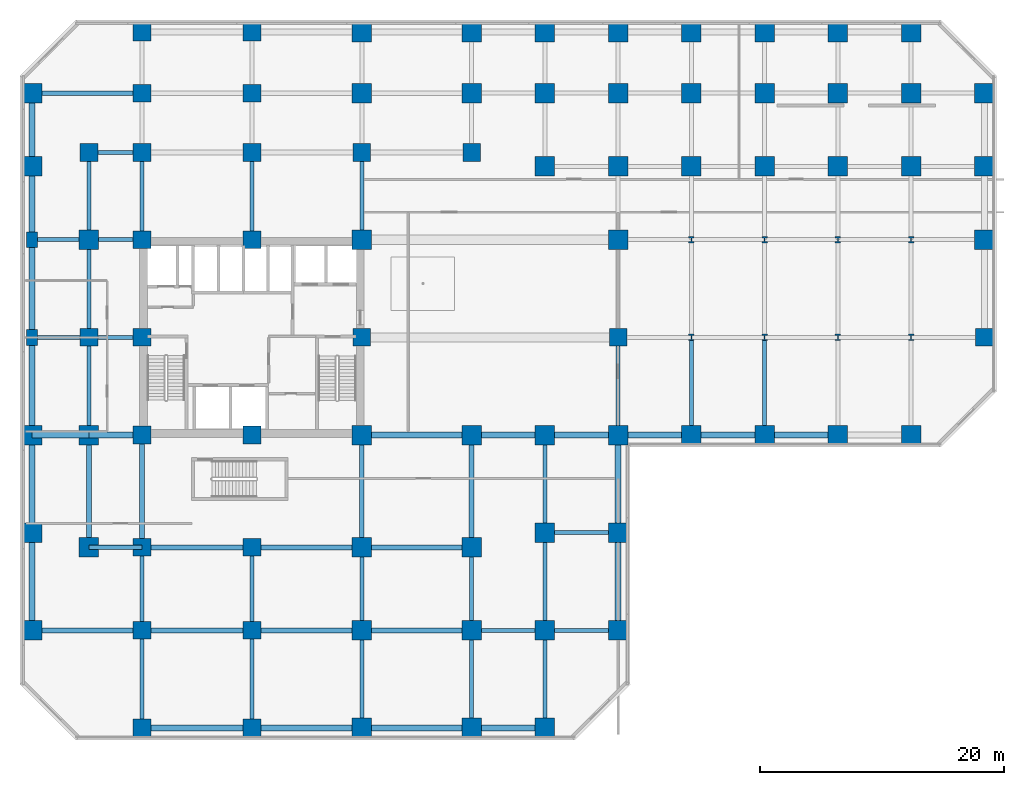
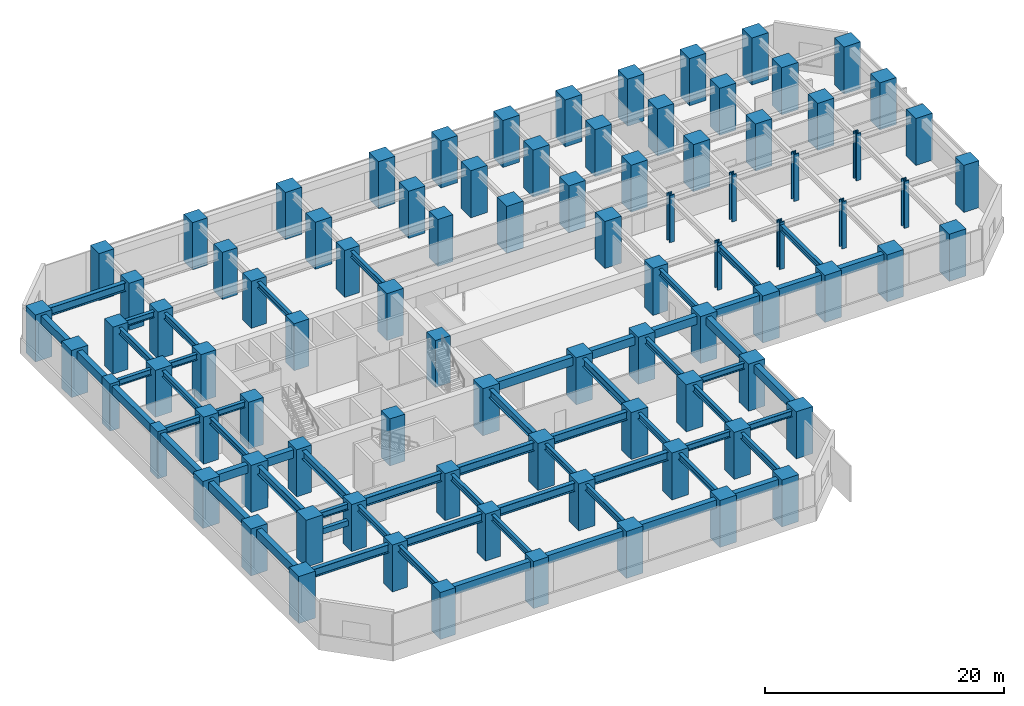
# One storey, part 1 of 12: 88 columns, 62 beams.
"""IFC4 building model written with IfcOpenShell, lengths in metres."""

from ifc_helpers import new_model, si_unit, direction, frame, origin, origin_2d, place, context, subcontext, project, spatial, rectangle, i_section, extrude, source, transform, mapped, material, material_profile, profile_set, type_object, element, save


model = new_model("IFC4")

# Units and contexts
model_context = context("Model", 3, precision=1e-05, world=origin(), true_north=direction((0.0, 1.0)))
body_context = subcontext(model_context, "Body", "Model", "MODEL_VIEW")
ifc_project = project(units=[si_unit("LENGTHUNIT", "METRE"), si_unit("AREAUNIT", "SQUARE_METRE"), si_unit("VOLUMEUNIT", "CUBIC_METRE"), si_unit("PLANEANGLEUNIT", "RADIAN"), si_unit("MASSUNIT", "GRAM", prefix="KILO")], contexts=[model_context])

# Site, building, storey
site_placement = place(None, origin())
site = spatial("IfcSite", under=ifc_project, at=site_placement, CompositionType="ELEMENT")
building_placement = place(site_placement, origin())
building = spatial("IfcBuilding", under=site, at=building_placement, Name="Torre Montelarca", CompositionType="ELEMENT")
storey_placement = place(building_placement, frame((0.0, 0.0, 17.39990234375)))
storey = spatial("IfcBuildingStorey", under=building, at=storey_placement, Name="L04", CompositionType="ELEMENT", Elevation=17.39990234375)

# Columns
ifc_material_1 = material(Name="Concrete C70/85", Category="concrete")
ifc_material_profile_1 = material_profile(ifc_material_1, rectangle(XDim=1.60009765625, YDim=1.60009765625, at=origin_2d()), Name="RC1600X1600", Category="concrete")
ifc_profile_set_1 = profile_set([ifc_material_profile_1], Name="Concrete C70/85")
column_type_1 = type_object("IfcColumnType", Name="COL-RC1600-EXT", PredefinedType="COLUMN", material=ifc_profile_set_1)
shared_shape_1 = source(origin(), body_context, "Body", "SweptSolid", [
    extrude(rectangle(XDim=1.60009765625, YDim=1.60009765625, at=origin_2d()), origin(), (0.0, 0.0, 1.0), 4.798583984375),
])
for number, where, z_axis, x_axis, name in (
    (1, (0.0, 8.0, 0.000732421875), (0.0, 0.0, 1.0), (1.0, 0.0, 0.0), "L04 Perimeter Mega Column 1/B"),
    (2, (0.0, 16.0, 0.000732421875), (0.0, 0.0, 1.0), (1.0, 0.0, 0.0), "L04 Perimeter Mega Column 1/C"),
    (3, (0.0, 24.0, 0.000732421875), (0.0, 0.0, 1.0), (1.0, 0.0, 0.0), "L04 Perimeter Mega Column 1/D"),
    (4, (0.0, 46.0, 0.000732421875), (0.0, 0.0, 1.0), (1.0, 0.0, 0.0), "L04 Perimeter Mega Column 1/G"),
    (5, (0.0, 52.0, 0.000732421875), (0.0, 0.0, 1.0), (1.0, 0.0, 0.0), "L04 Perimeter Mega Column 1/H"),
    (6, (27.0, 0.0, 0.000732421875), (0.0, 0.0, 1.0), (1.0, 0.0, 0.0), "L04 Perimeter Mega Column 4/A"),
    (7, (27.0, 24.0, 0.000732421875), (0.0, 0.0, 1.0), (1.0, 0.0, 0.0), "L04 Perimeter Mega Column 4/D"),
    (8, (27.0, 57.0, 0.000732421875), (0.0, 0.0, 1.0), (1.0, 0.0, 0.0), "L04 Perimeter Mega Column 4/J"),
    (9, (36.0, 0.0, 0.000732421875), (0.0, 0.0, 1.0), (1.0, 0.0, 0.0), "L04 Perimeter Mega Column 5/A"),
    (10, (36.0, 24.0, 0.000732421875), (0.0, 0.0, 1.0), (1.0, 0.0, 0.0), "L04 Perimeter Mega Column 5/D"),
    (11, (36.0, 57.0, 0.000732421875), (0.0, 0.0, 1.0), (1.0, 0.0, 0.0), "L04 Perimeter Mega Column 5/J"),
    (12, (42.0, 0.0, 0.000732421875), (0.0, 0.0, 1.0), (1.0, 0.0, 0.0), "L04 Perimeter Mega Column 6/A"),
    (13, (42.0, 24.0, 0.000732421875), (0.0, 0.0, 1.0), (1.0, 0.0, 0.0), "L04 Perimeter Mega Column 6/D"),
    (14, (42.0, 57.0, 0.000732421875), (0.0, 0.0, 1.0), (1.0, 0.0, 0.0), "L04 Perimeter Mega Column 6/J"),
    (15, (48.0, 8.0, 0.000732421875), (0.0, 0.0, 1.0), (1.0, 0.0, 0.0), "L04 Perimeter Mega Column 7/B"),
    (16, (48.0, 16.0, 0.000732421875), (0.0, 0.0, 1.0), (1.0, 0.0, 0.0), "L04 Perimeter Mega Column 7/C"),
    (17, (48.0, 24.0, 0.000732421875), (0.0, 0.0, 1.0), (1.0, 0.0, 0.0), "L04 Perimeter Mega Column 7/D"),
    (18, (48.0, 57.0, 0.000732421875), (0.0, 0.0, 1.0), (1.0, 0.0, 0.0), "L04 Perimeter Mega Column 7/J"),
    (19, (54.0, 24.0, 0.000732421875), (0.0, 0.0, 1.0), (1.0, 0.0, 0.0), "L04 Perimeter Mega Column 8/D"),
    (20, (54.0, 57.0, 0.000732421875), (0.0, 0.0, 1.0), (1.0, 0.0, 0.0), "L04 Perimeter Mega Column 8/J"),
    (21, (60.0, 24.0, 0.000732421875), (0.0, 0.0, 1.0), (1.0, 0.0, 0.0), "L04 Perimeter Mega Column 9/D"),
    (22, (60.0, 57.0, 0.000732421875), (0.0, 0.0, 1.0), (1.0, 0.0, 0.0), "L04 Perimeter Mega Column 9/J"),
    (23, (66.0, 24.0, 0.000732421875), (0.0, 0.0, 1.0), (1.0, 0.0, 0.0), "L04 Perimeter Mega Column 10/D"),
    (24, (66.0, 57.0, 0.000732421875), (0.0, 0.0, 1.0), (1.0, 0.0, 0.0), "L04 Perimeter Mega Column 10/J"),
    (25, (72.0, 24.0, 0.000732421875), (0.0, 0.0, 1.0), (1.0, 0.0, 0.0), "L04 Perimeter Mega Column 11/D"),
    (26, (72.0, 57.0, 0.000732421875), (0.0, 0.0, 1.0), (1.0, 0.0, 0.0), "L04 Perimeter Mega Column 11/J"),
    (27, (78.0, 40.0, 0.000732421875), (0.0, 0.0, 1.0), (1.0, 0.0, 0.0), "L04 Perimeter Mega Column 12/F"),
    (28, (78.0, 46.0, 0.000732421875), (0.0, 0.0, 1.0), (1.0, 0.0, 0.0), "L04 Perimeter Mega Column 12/G"),
    (29, (78.0, 52.0, 0.000732421875), (0.0, 0.0, 1.0), (1.0, 0.0, 0.0), "L04 Perimeter Mega Column 12/H"),
    (30, (4.64990234375, 24.0, 0.000732421875), (0.0, 0.0, 1.0), (1.0, 0.0, 0.0), "L04 Perimeter Mega Column 1W/D"),
):
    element("IfcColumn", number, at=place(storey_placement, frame(where, z_axis=z_axis, x_axis=x_axis)), inside=storey, type_object=column_type_1, Name=name, PredefinedType="COLUMN", context=body_context, shape_type="MappedRepresentation", body=[
        mapped(shared_shape_1, transform((0.0, 0.0, 0.0), scale=1.0)),
    ])
ifc_material_2 = material(Name="Concrete C55/67", Category="concrete")
ifc_material_profile_2 = material_profile(ifc_material_2, rectangle(XDim=0.89990234375, YDim=1.300048828125, at=origin_2d()), Name="RC1300X900", Category="concrete")
ifc_profile_set_2 = profile_set([ifc_material_profile_2], Name="Concrete C55/67")
column_type_2 = type_object("IfcColumnType", Name="COL-PIL1300-EXT", PredefinedType="PILASTER", material=ifc_profile_set_2)
shared_shape_2 = source(origin(), body_context, "Body", "SweptSolid", [
    extrude(rectangle(XDim=0.89990234375, YDim=1.300048828125, at=origin_2d()), origin(), (0.0, 0.0, 1.0), 4.798583984375),
])
for number, where, z_axis, x_axis, name in (
    (31, (0.0, 32.0, 0.000732421875), (0.0, 0.0, 1.0), (1.0, 0.0, 0.0), "L04 Column 1/E"),
    (32, (0.0, 40.0, 0.000732421875), (0.0, 0.0, 1.0), (1.0, 0.0, 0.0), "L04 Column 1/F"),
):
    element("IfcColumn", number, at=place(storey_placement, frame(where, z_axis=z_axis, x_axis=x_axis)), inside=storey, type_object=column_type_2, Name=name, PredefinedType="PILASTER", context=body_context, shape_type="MappedRepresentation", body=[
        mapped(shared_shape_2, transform((0.0, 0.0, 0.0), scale=1.0)),
    ])
ifc_material_profile_3 = material_profile(ifc_material_1, rectangle(XDim=1.449951171875, YDim=1.449951171875, at=origin_2d()), Name="RC1450X1450", Category="concrete")
ifc_profile_set_3 = profile_set([ifc_material_profile_3], Name="Concrete C70/85")
column_type_3 = type_object("IfcColumnType", Name="COL-RC1450-EXT", PredefinedType="COLUMN", material=ifc_profile_set_3)
shared_shape_3 = source(origin(), body_context, "Body", "SweptSolid", [
    extrude(rectangle(XDim=1.449951171875, YDim=1.449951171875, at=origin_2d()), origin(), (0.0, 0.0, 1.0), 4.798583984375),
])
for number, where, z_axis, x_axis, name in (
    (33, (9.0, 0.0, 0.000732421875), (0.0, 0.0, 1.0), (1.0, 0.0, 0.0), "L04 Perimeter Mega Column 2/A"),
    (34, (9.0, 24.0, 0.000732421875), (0.0, 0.0, 1.0), (1.0, 0.0, 0.0), "L04 Perimeter Mega Column 2/D"),
    (35, (9.0, 57.0, 0.000732421875), (0.0, 0.0, 1.0), (1.0, 0.0, 0.0), "L04 Perimeter Mega Column 2/J"),
    (36, (18.0, 0.0, 0.000732421875), (0.0, 0.0, 1.0), (1.0, 0.0, 0.0), "L04 Perimeter Mega Column 3/A"),
    (37, (18.0, 24.0, 0.000732421875), (0.0, 0.0, 1.0), (1.0, 0.0, 0.0), "L04 Perimeter Mega Column 3/D"),
    (38, (18.0, 57.0, 0.000732421875), (0.0, 0.0, 1.0), (1.0, 0.0, 0.0), "L04 Perimeter Mega Column 3/J"),
    (39, (78.0, 32.0, 0.000732421875), (0.0, 0.0, 1.0), (1.0, 0.0, 0.0), "L04 Perimeter Mega Column 12/E"),
):
    element("IfcColumn", number, at=place(storey_placement, frame(where, z_axis=z_axis, x_axis=x_axis)), inside=storey, type_object=column_type_3, Name=name, PredefinedType="COLUMN", context=body_context, shape_type="MappedRepresentation", body=[
        mapped(shared_shape_3, transform((0.0, 0.0, 0.0), scale=1.0)),
    ])
ifc_material_profile_4 = material_profile(ifc_material_1, rectangle(XDim=1.449951171875, YDim=1.449951171875, at=origin_2d()), Name="RC1450X1450", Category="concrete")
ifc_profile_set_4 = profile_set([ifc_material_profile_4], Name="Concrete C70/85")
column_type_4 = type_object("IfcColumnType", Name="COL-RC1450", PredefinedType="COLUMN", material=ifc_profile_set_4)
shared_shape_4 = source(origin(), body_context, "Body", "SweptSolid", [
    extrude(rectangle(XDim=1.449951171875, YDim=1.449951171875, at=origin_2d()), origin(), (0.0, 0.0, 1.0), 4.798583984375),
])
for number, where, z_axis, x_axis, name in (
    (40, (9.0, 8.0, 0.000732421875), (0.0, 0.0, 1.0), (1.0, 0.0, 0.0), "L04 Column 2/B"),
    (41, (9.0, 32.0, 0.000732421875), (0.0, 0.0, 1.0), (1.0, 0.0, 0.0), "L04 Column 2/E"),
    (42, (9.0, 40.0, 0.000732421875), (0.0, 0.0, 1.0), (1.0, 0.0, 0.0), "L04 Column 2/F"),
    (43, (9.0, 52.0, 0.000732421875), (0.0, 0.0, 1.0), (1.0, 0.0, 0.0), "L04 Column 2/H"),
    (44, (9.0, 14.800048828125, 0.000732421875), (0.0, 0.0, 1.0), (1.0, 0.0, 0.0), "L04 Column 2/CS"),
    (45, (9.0, 47.14990234375, 0.000732421875), (0.0, 0.0, 1.0), (1.0, 0.0, 0.0), "L04 Column 2/GN"),
    (46, (18.0, 8.0, 0.000732421875), (0.0, 0.0, 1.0), (1.0, 0.0, 0.0), "L04 Column 3/B"),
    (47, (18.0, 40.0, 0.000732421875), (0.0, 0.0, 1.0), (1.0, 0.0, 0.0), "L04 Column 3/F"),
    (48, (18.0, 52.0, 0.000732421875), (0.0, 0.0, 1.0), (1.0, 0.0, 0.0), "L04 Column 3/H"),
    (49, (18.0, 14.800048828125, 0.000732421875), (0.0, 0.0, 1.0), (1.0, 0.0, 0.0), "L04 Column 3/CS"),
    (50, (18.0, 47.14990234375, 0.000732421875), (0.0, 0.0, 1.0), (1.0, 0.0, 0.0), "L04 Column 3/GN"),
    (51, (27.0, 32.0, 0.000732421875), (0.0, 0.0, 1.0), (1.0, 0.0, 0.0), "L04 Column 4/E"),
    (52, (27.0, 47.14990234375, 0.000732421875), (0.0, 0.0, 1.0), (1.0, 0.0, 0.0), "L04 Column 4/GN"),
    (53, (36.0, 47.14990234375, 0.000732421875), (0.0, 0.0, 1.0), (1.0, 0.0, 0.0), "L04 Column 5/GN"),
    (54, (48.0, 32.0, 0.000732421875), (0.0, 0.0, 1.0), (1.0, 0.0, 0.0), "L04 Column 7/E"),
    (55, (4.64990234375, 32.0, 0.000732421875), (0.0, 0.0, 1.0), (1.0, 0.0, 0.0), "L04 Column 1W/E"),
    (56, (4.64990234375, 47.14990234375, 0.000732421875), (0.0, 0.0, 1.0), (1.0, 0.0, 0.0), "L04 Column 1W/GN"),
):
    element("IfcColumn", number, at=place(storey_placement, frame(where, z_axis=z_axis, x_axis=x_axis)), inside=storey, type_object=column_type_4, Name=name, PredefinedType="COLUMN", context=body_context, shape_type="MappedRepresentation", body=[
        mapped(shared_shape_4, transform((0.0, 0.0, 0.0), scale=1.0)),
    ])
ifc_material_profile_5 = material_profile(ifc_material_1, rectangle(XDim=1.60009765625, YDim=1.60009765625, at=origin_2d()), Name="RC1600X1600", Category="concrete")
ifc_profile_set_5 = profile_set([ifc_material_profile_5], Name="Concrete C70/85")
column_type_5 = type_object("IfcColumnType", Name="COL-RC1600", PredefinedType="COLUMN", material=ifc_profile_set_5)
shared_shape_5 = source(origin(), body_context, "Body", "SweptSolid", [
    extrude(rectangle(XDim=1.60009765625, YDim=1.60009765625, at=origin_2d()), origin(), (0.0, 0.0, 1.0), 4.798583984375),
])
for number, where, z_axis, x_axis, name in (
    (57, (27.0, 8.0, 0.000732421875), (0.0, 0.0, 1.0), (1.0, 0.0, 0.0), "L04 Column 4/B"),
    (58, (27.0, 40.0, 0.000732421875), (0.0, 0.0, 1.0), (1.0, 0.0, 0.0), "L04 Column 4/F"),
    (59, (27.0, 52.0, 0.000732421875), (0.0, 0.0, 1.0), (1.0, 0.0, 0.0), "L04 Column 4/H"),
    (60, (27.0, 14.800048828125, 0.000732421875), (0.0, 0.0, 1.0), (1.0, 0.0, 0.0), "L04 Column 4/CS"),
    (61, (36.0, 8.0, 0.000732421875), (0.0, 0.0, 1.0), (1.0, 0.0, 0.0), "L04 Column 5/B"),
    (62, (36.0, 52.0, 0.000732421875), (0.0, 0.0, 1.0), (1.0, 0.0, 0.0), "L04 Column 5/H"),
    (63, (36.0, 14.800048828125, 0.000732421875), (0.0, 0.0, 1.0), (1.0, 0.0, 0.0), "L04 Column 5/CS"),
    (64, (42.0, 8.0, 0.000732421875), (0.0, 0.0, 1.0), (1.0, 0.0, 0.0), "L04 Column 6/B"),
    (65, (42.0, 16.0, 0.000732421875), (0.0, 0.0, 1.0), (1.0, 0.0, 0.0), "L04 Column 6/C"),
    (66, (42.0, 46.0, 0.000732421875), (0.0, 0.0, 1.0), (1.0, 0.0, 0.0), "L04 Column 6/G"),
    (67, (42.0, 52.0, 0.000732421875), (0.0, 0.0, 1.0), (1.0, 0.0, 0.0), "L04 Column 6/H"),
    (68, (48.0, 40.0, 0.000732421875), (0.0, 0.0, 1.0), (1.0, 0.0, 0.0), "L04 Column 7/F"),
    (69, (48.0, 46.0, 0.000732421875), (0.0, 0.0, 1.0), (1.0, 0.0, 0.0), "L04 Column 7/G"),
    (70, (48.0, 52.0, 0.000732421875), (0.0, 0.0, 1.0), (1.0, 0.0, 0.0), "L04 Column 7/H"),
    (71, (54.0, 46.0, 0.000732421875), (0.0, 0.0, 1.0), (1.0, 0.0, 0.0), "L04 Column 8/G"),
    (72, (54.0, 52.0, 0.000732421875), (0.0, 0.0, 1.0), (1.0, 0.0, 0.0), "L04 Column 8/H"),
    (73, (60.0, 46.0, 0.000732421875), (0.0, 0.0, 1.0), (1.0, 0.0, 0.0), "L04 Column 9/G"),
    (74, (60.0, 52.0, 0.000732421875), (0.0, 0.0, 1.0), (1.0, 0.0, 0.0), "L04 Column 9/H"),
    (75, (66.0, 46.0, 0.000732421875), (0.0, 0.0, 1.0), (1.0, 0.0, 0.0), "L04 Column 10/G"),
    (76, (66.0, 52.0, 0.000732421875), (0.0, 0.0, 1.0), (1.0, 0.0, 0.0), "L04 Column 10/H"),
    (77, (72.0, 46.0, 0.000732421875), (0.0, 0.0, 1.0), (1.0, 0.0, 0.0), "L04 Column 11/G"),
    (78, (72.0, 52.0, 0.000732421875), (0.0, 0.0, 1.0), (1.0, 0.0, 0.0), "L04 Column 11/H"),
    (79, (4.64990234375, 40.0, 0.000732421875), (0.0, 0.0, 1.0), (1.0, 0.0, 0.0), "L04 Column 1W/F"),
    (80, (4.64990234375, 14.800048828125, 0.000732421875), (0.0, 0.0, 1.0), (1.0, 0.0, 0.0), "L04 Column 1W/CS"),
):
    element("IfcColumn", number, at=place(storey_placement, frame(where, z_axis=z_axis, x_axis=x_axis)), inside=storey, type_object=column_type_5, Name=name, PredefinedType="COLUMN", context=body_context, shape_type="MappedRepresentation", body=[
        mapped(shared_shape_5, transform((0.0, 0.0, 0.0), scale=1.0)),
    ])
ifc_material_3 = material(Name="Steel ASTM A992 Grade 50", Category="steel")
ifc_material_profile_6 = material_profile(ifc_material_3, i_section(OverallWidth=0.44189453125, OverallDepth=0.531005859375, WebThickness=0.06591796875, FlangeThickness=0.10595703125, FilletRadius=0.014892578125, at=origin_2d()), Name="W360X900", Category="steel")
ifc_profile_set_6 = profile_set([ifc_material_profile_6], Name="Steel ASTM A992 Grade 50")
column_type_6 = type_object("IfcColumnType", Name="COL-W360X900", PredefinedType="COLUMN", material=ifc_profile_set_6)
shared_shape_6 = source(origin(), body_context, "Body", "SweptSolid", [
    extrude(i_section(OverallWidth=0.44189453125, OverallDepth=0.531005859375, WebThickness=0.06591796875, FlangeThickness=0.10595703125, FilletRadius=0.014892578125, at=origin_2d()), origin(), (0.0, 0.0, 1.0), 4.798583984375),
])
for number, where, z_axis, x_axis, name in (
    (81, (54.0, 32.0, 0.000732421875), (0.0, 0.0, 1.0), (1.0, 0.0, 0.0), "L04 Column 8/E"),
    (82, (54.0, 40.0, 0.000732421875), (0.0, 0.0, 1.0), (1.0, 0.0, 0.0), "L04 Column 8/F"),
    (83, (60.0, 32.0, 0.000732421875), (0.0, 0.0, 1.0), (1.0, 0.0, 0.0), "L04 Column 9/E"),
    (84, (60.0, 40.0, 0.000732421875), (0.0, 0.0, 1.0), (1.0, 0.0, 0.0), "L04 Column 9/F"),
    (85, (66.0, 32.0, 0.000732421875), (0.0, 0.0, 1.0), (1.0, 0.0, 0.0), "L04 Column 10/E"),
    (86, (66.0, 40.0, 0.000732421875), (0.0, 0.0, 1.0), (1.0, 0.0, 0.0), "L04 Column 10/F"),
    (87, (72.0, 32.0, 0.000732421875), (0.0, 0.0, 1.0), (1.0, 0.0, 0.0), "L04 Column 11/E"),
    (88, (72.0, 40.0, 0.000732421875), (0.0, 0.0, 1.0), (1.0, 0.0, 0.0), "L04 Column 11/F"),
):
    element("IfcColumn", number, at=place(storey_placement, frame(where, z_axis=z_axis, x_axis=x_axis)), inside=storey, type_object=column_type_6, Name=name, PredefinedType="COLUMN", context=body_context, shape_type="MappedRepresentation", body=[
        mapped(shared_shape_6, transform((0.0, 0.0, 0.0), scale=1.0)),
    ])

# Beams
ifc_material_profile_7 = material_profile(ifc_material_2, rectangle(XDim=0.5, YDim=0.85009765625, at=origin_2d()), Name="RCB500X850", Category="concrete")
ifc_profile_set_7 = profile_set([ifc_material_profile_7], Name="Concrete C55/67")
beam_type_1 = type_object("IfcBeamType", Name="BM-SP-RC850-EXT", PredefinedType="SPANDREL", material=ifc_profile_set_7)
shared_shape_7 = source(origin(), body_context, "Body", "SweptSolid", [
    extrude(rectangle(XDim=0.5, YDim=0.85009765625, at=origin_2d()), origin(), (0.0, 0.0, 1.0), 9.0),
])
for number, where, z_axis, x_axis, name in (
    (89, (9.0, 0.0, 4.114990234375), (1.0, 0.0, 0.0), (0.0, 1.0, 0.0), "L04 Grid Girder X 9.0-18.0 at Y=0.0"),
    (90, (18.0, 0.0, 4.114990234375), (1.0, 0.0, 0.0), (0.0, 1.0, 0.0), "L04 Grid Girder X 18.0-27.0 at Y=0.0"),
    (91, (27.0, 0.0, 4.114990234375), (1.0, 0.0, 0.0), (0.0, 1.0, 0.0), "L04 Grid Girder X 27.0-36.0 at Y=0.0"),
    (92, (27.0, 24.0, 4.114990234375), (1.0, 0.0, 0.0), (0.0, 1.0, 0.0), "L04 Grid Girder X 27.0-36.0 at Y=24.0"),
):
    element("IfcBeam", number, at=place(storey_placement, frame(where, z_axis=z_axis, x_axis=x_axis)), inside=storey, type_object=beam_type_1, Name=name, PredefinedType="SPANDREL", context=body_context, shape_type="MappedRepresentation", body=[
        mapped(shared_shape_7, transform((0.0, 0.0, 0.0), scale=1.0)),
    ])
shared_shape_8 = source(origin(), body_context, "Body", "SweptSolid", [
    extrude(rectangle(XDim=0.5, YDim=0.85009765625, at=origin_2d()), origin(), (0.0, 0.0, 1.0), 6.0),
])
for number, where, z_axis, x_axis, name in (
    (93, (36.0, 0.0, 4.114990234375), (1.0, 0.0, 0.0), (0.0, 1.0, 0.0), "L04 Grid Girder X 36.0-42.0 at Y=0.0"),
    (94, (36.0, 24.0, 4.114990234375), (1.0, 0.0, 0.0), (0.0, 1.0, 0.0), "L04 Grid Girder X 36.0-42.0 at Y=24.0"),
    (95, (42.0, 24.0, 4.114990234375), (1.0, 0.0, 0.0), (0.0, 1.0, 0.0), "L04 Grid Girder X 42.0-48.0 at Y=24.0"),
    (96, (48.0, 24.0, 4.114990234375), (1.0, 0.0, 0.0), (0.0, 1.0, 0.0), "L04 Grid Girder X 48.0-54.0 at Y=24.0"),
    (97, (54.0, 24.0, 4.114990234375), (1.0, 0.0, 0.0), (0.0, 1.0, 0.0), "L04 Grid Girder X 54.0-60.0 at Y=24.0"),
    (98, (60.0, 24.0, 4.114990234375), (1.0, 0.0, 0.0), (0.0, 1.0, 0.0), "L04 Grid Girder X 60.0-66.0 at Y=24.0"),
    (99, (0.0, 40.0, 4.114990234375), (0.0, 1.0, 0.0), (-1.0, 0.0, 0.0), "L04 Grid Girder Y 40.0-46.0 at X=0.0"),
    (100, (0.0, 46.0, 4.114990234375), (0.0, 1.0, 0.0), (-1.0, 0.0, 0.0), "L04 Grid Girder Y 46.0-52.0 at X=0.0"),
):
    element("IfcBeam", number, at=place(storey_placement, frame(where, z_axis=z_axis, x_axis=x_axis)), inside=storey, type_object=beam_type_1, Name=name, PredefinedType="SPANDREL", context=body_context, shape_type="MappedRepresentation", body=[
        mapped(shared_shape_8, transform((0.0, 0.0, 0.0), scale=1.0)),
    ])
ifc_material_profile_8 = material_profile(ifc_material_3, i_section(OverallWidth=0.39990234375, OverallDepth=0.85498046875, WebThickness=0.018310546875, FlangeThickness=0.029296875, FilletRadius=0.02001953125, at=origin_2d()), Name="W840X299", Category="steel")
ifc_profile_set_8 = profile_set([ifc_material_profile_8], Name="Steel ASTM A992 Grade 50")
beam_type_2 = type_object("IfcBeamType", Name="BM-G-W840", PredefinedType="BEAM", material=ifc_profile_set_8)
shared_shape_9 = source(origin(), body_context, "Body", "SweptSolid", [
    extrude(i_section(OverallWidth=0.39990234375, OverallDepth=0.85498046875, WebThickness=0.018310546875, FlangeThickness=0.029296875, FilletRadius=0.02001953125, at=origin_2d()), origin(), (0.0, 0.0, 1.0), 9.0),
])
for number, where, z_axis, x_axis, name in (
    (101, (0.0, 8.0, 4.112060546875), (1.0, 0.0, 0.0), (0.0, 1.0, 0.0), "L04 Grid Girder X 0.0-9.0 at Y=8.0"),
    (102, (9.0, 8.0, 4.112060546875), (1.0, 0.0, 0.0), (0.0, 1.0, 0.0), "L04 Grid Girder X 9.0-18.0 at Y=8.0"),
    (103, (18.0, 8.0, 4.112060546875), (1.0, 0.0, 0.0), (0.0, 1.0, 0.0), "L04 Grid Girder X 18.0-27.0 at Y=8.0"),
    (104, (27.0, 8.0, 4.112060546875), (1.0, 0.0, 0.0), (0.0, 1.0, 0.0), "L04 Grid Girder X 27.0-36.0 at Y=8.0"),
    (105, (9.0, 14.800048828125, 4.112060546875), (1.0, 0.0, 0.0), (0.0, 1.0, 0.0), "L04 Grid Girder X 9.0-18.0 at Y=14.8"),
    (106, (18.0, 14.800048828125, 4.112060546875), (1.0, 0.0, 0.0), (0.0, 1.0, 0.0), "L04 Grid Girder X 18.0-27.0 at Y=14.8"),
    (107, (27.0, 14.800048828125, 4.112060546875), (1.0, 0.0, 0.0), (0.0, 1.0, 0.0), "L04 Grid Girder X 27.0-36.0 at Y=14.8"),
    (108, (0.0, 52.0, 4.112060546875), (1.0, 0.0, 0.0), (0.0, 1.0, 0.0), "L04 Grid Girder X 0.0-9.0 at Y=52.0"),
):
    element("IfcBeam", number, at=place(storey_placement, frame(where, z_axis=z_axis, x_axis=x_axis)), inside=storey, type_object=beam_type_2, Name=name, PredefinedType="BEAM", context=body_context, shape_type="MappedRepresentation", body=[
        mapped(shared_shape_9, transform((0.0, 0.0, 0.0), scale=1.0)),
    ])
ifc_material_profile_9 = material_profile(ifc_material_3, i_section(OverallWidth=0.326904296875, OverallDepth=0.6220703125, WebThickness=0.015380859375, FlangeThickness=0.0244140625, FilletRadius=0.014892578125, at=origin_2d()), Name="W610X195", Category="steel")
ifc_profile_set_9 = profile_set([ifc_material_profile_9], Name="Steel ASTM A992 Grade 50")
beam_type_3 = type_object("IfcBeamType", Name="BM-G-W610H", PredefinedType="BEAM", material=ifc_profile_set_9)
shared_shape_10 = source(origin(), body_context, "Body", "SweptSolid", [
    extrude(i_section(OverallWidth=0.326904296875, OverallDepth=0.6220703125, WebThickness=0.015380859375, FlangeThickness=0.0244140625, FilletRadius=0.014892578125, at=origin_2d()), origin(), (0.0, 0.0, 1.0), 6.0),
])
for number, where, z_axis, x_axis, name in (
    (109, (36.0, 8.0, 4.22900390625), (1.0, 0.0, 0.0), (0.0, 1.0, 0.0), "L04 Grid Girder X 36.0-42.0 at Y=8.0"),
    (110, (42.0, 8.0, 4.22900390625), (1.0, 0.0, 0.0), (0.0, 1.0, 0.0), "L04 Grid Girder X 42.0-48.0 at Y=8.0"),
    (111, (42.0, 16.0, 4.22900390625), (1.0, 0.0, 0.0), (0.0, 1.0, 0.0), "L04 Grid Girder X 42.0-48.0 at Y=16.0"),
):
    element("IfcBeam", number, at=place(storey_placement, frame(where, z_axis=z_axis, x_axis=x_axis)), inside=storey, type_object=beam_type_3, Name=name, PredefinedType="BEAM", context=body_context, shape_type="MappedRepresentation", body=[
        mapped(shared_shape_10, transform((0.0, 0.0, 0.0), scale=1.0)),
    ])
shared_shape_11 = source(origin(), body_context, "Body", "SweptSolid", [
    extrude(i_section(OverallWidth=0.326904296875, OverallDepth=0.6220703125, WebThickness=0.015380859375, FlangeThickness=0.0244140625, FilletRadius=0.014892578125, at=origin_2d()), origin(), (0.0, 0.0, 1.0), 4.35009765625),
])
for number, where, z_axis, x_axis, name in (
    (112, (4.64990234375, 14.800048828125, 4.22900390625), (1.0, 0.0, 0.0), (0.0, 1.0, 0.0), "L04 Grid Girder X 4.7-9.0 at Y=14.8"),
    (113, (4.64990234375, 32.0, 4.22900390625), (1.0, 0.0, 0.0), (0.0, 1.0, 0.0), "L04 Grid Girder X 4.7-9.0 at Y=32.0"),
    (114, (4.64990234375, 40.0, 4.22900390625), (1.0, 0.0, 0.0), (0.0, 1.0, 0.0), "L04 Grid Girder X 4.7-9.0 at Y=40.0"),
    (115, (4.64990234375, 47.14990234375, 4.22900390625), (1.0, 0.0, 0.0), (0.0, 1.0, 0.0), "L04 Grid Girder X 4.7-9.0 at Y=47.1"),
):
    element("IfcBeam", number, at=place(storey_placement, frame(where, z_axis=z_axis, x_axis=x_axis)), inside=storey, type_object=beam_type_3, Name=name, PredefinedType="BEAM", context=body_context, shape_type="MappedRepresentation", body=[
        mapped(shared_shape_11, transform((0.0, 0.0, 0.0), scale=1.0)),
    ])
shared_shape_12 = source(origin(), body_context, "Body", "SweptSolid", [
    extrude(rectangle(XDim=0.5, YDim=0.85009765625, at=origin_2d()), origin(), (0.0, 0.0, 1.0), 4.64990234375),
])
beam_1_placement = place(storey_placement, frame((0.0, 24.0, 4.114990234375), z_axis=(1.0, 0.0, 0.0), x_axis=(0.0, 1.0, 0.0)))
element("IfcBeam", 116, at=beam_1_placement, inside=storey, type_object=beam_type_1, Name="L04 Grid Girder X 0.0-4.7 at Y=24.0", PredefinedType="SPANDREL", context=body_context, shape_type="MappedRepresentation", body=[
    mapped(shared_shape_12, transform((0.0, 0.0, 0.0), scale=1.0)),
])
shared_shape_13 = source(origin(), body_context, "Body", "SweptSolid", [
    extrude(rectangle(XDim=0.5, YDim=0.85009765625, at=origin_2d()), origin(), (0.0, 0.0, 1.0), 4.35009765625),
])
beam_2_placement = place(storey_placement, frame((4.64990234375, 24.0, 4.114990234375), z_axis=(1.0, 0.0, 0.0), x_axis=(0.0, 1.0, 0.0)))
element("IfcBeam", 117, at=beam_2_placement, inside=storey, type_object=beam_type_1, Name="L04 Grid Girder X 4.7-9.0 at Y=24.0", PredefinedType="SPANDREL", context=body_context, shape_type="MappedRepresentation", body=[
    mapped(shared_shape_13, transform((0.0, 0.0, 0.0), scale=1.0)),
])
shared_shape_14 = source(origin(), body_context, "Body", "SweptSolid", [
    extrude(i_section(OverallWidth=0.326904296875, OverallDepth=0.6220703125, WebThickness=0.015380859375, FlangeThickness=0.0244140625, FilletRadius=0.014892578125, at=origin_2d()), origin(), (0.0, 0.0, 1.0), 4.64990234375),
])
for number, where, z_axis, x_axis, name in (
    (118, (0.0, 32.0, 4.22900390625), (1.0, 0.0, 0.0), (0.0, 1.0, 0.0), "L04 Grid Girder X 0.0-4.7 at Y=32.0"),
    (119, (0.0, 40.0, 4.22900390625), (1.0, 0.0, 0.0), (0.0, 1.0, 0.0), "L04 Grid Girder X 0.0-4.7 at Y=40.0"),
):
    element("IfcBeam", number, at=place(storey_placement, frame(where, z_axis=z_axis, x_axis=x_axis)), inside=storey, type_object=beam_type_3, Name=name, PredefinedType="BEAM", context=body_context, shape_type="MappedRepresentation", body=[
        mapped(shared_shape_14, transform((0.0, 0.0, 0.0), scale=1.0)),
    ])
shared_shape_15 = source(origin(), body_context, "Body", "SweptSolid", [
    extrude(rectangle(XDim=0.5, YDim=0.85009765625, at=origin_2d()), origin(), (0.0, 0.0, 1.0), 8.0),
])
for number, where, z_axis, x_axis, name in (
    (120, (0.0, 8.0, 4.114990234375), (0.0, 1.0, 0.0), (-1.0, 0.0, 0.0), "L04 Grid Girder Y 8.0-16.0 at X=0.0"),
    (121, (0.0, 16.0, 4.114990234375), (0.0, 1.0, 0.0), (-1.0, 0.0, 0.0), "L04 Grid Girder Y 16.0-24.0 at X=0.0"),
    (122, (0.0, 24.0, 4.114990234375), (0.0, 1.0, 0.0), (-1.0, 0.0, 0.0), "L04 Grid Girder Y 24.0-32.0 at X=0.0"),
    (123, (0.0, 32.0, 4.114990234375), (0.0, 1.0, 0.0), (-1.0, 0.0, 0.0), "L04 Grid Girder Y 32.0-40.0 at X=0.0"),
    (124, (48.0, 8.0, 4.114990234375), (0.0, 1.0, 0.0), (-1.0, 0.0, 0.0), "L04 Grid Girder Y 8.0-16.0 at X=48.0"),
    (125, (48.0, 16.0, 4.114990234375), (0.0, 1.0, 0.0), (-1.0, 0.0, 0.0), "L04 Grid Girder Y 16.0-24.0 at X=48.0"),
):
    element("IfcBeam", number, at=place(storey_placement, frame(where, z_axis=z_axis, x_axis=x_axis)), inside=storey, type_object=beam_type_1, Name=name, PredefinedType="SPANDREL", context=body_context, shape_type="MappedRepresentation", body=[
        mapped(shared_shape_15, transform((0.0, 0.0, 0.0), scale=1.0)),
    ])
shared_shape_16 = source(origin(), body_context, "Body", "SweptSolid", [
    extrude(i_section(OverallWidth=0.39990234375, OverallDepth=0.85498046875, WebThickness=0.018310546875, FlangeThickness=0.029296875, FilletRadius=0.02001953125, at=origin_2d()), origin(), (0.0, 0.0, 1.0), 9.199951171875),
])
for number, where, z_axis, x_axis, name in (
    (126, (4.64990234375, 14.800048828125, 4.112060546875), (0.0, 1.0, 0.0), (-1.0, 0.0, 0.0), "L04 Grid Girder Y 14.8-24.0 at X=4.7"),
    (127, (9.0, 14.800048828125, 4.112060546875), (0.0, 1.0, 0.0), (-1.0, 0.0, 0.0), "L04 Grid Girder Y 14.8-24.0 at X=9.0"),
    (128, (27.0, 14.800048828125, 4.112060546875), (0.0, 1.0, 0.0), (-1.0, 0.0, 0.0), "L04 Grid Girder Y 14.8-24.0 at X=27.0"),
    (129, (36.0, 14.800048828125, 4.112060546875), (0.0, 1.0, 0.0), (-1.0, 0.0, 0.0), "L04 Grid Girder Y 14.8-24.0 at X=36.0"),
):
    element("IfcBeam", number, at=place(storey_placement, frame(where, z_axis=z_axis, x_axis=x_axis)), inside=storey, type_object=beam_type_2, Name=name, PredefinedType="BEAM", context=body_context, shape_type="MappedRepresentation", body=[
        mapped(shared_shape_16, transform((0.0, 0.0, 0.0), scale=1.0)),
    ])
shared_shape_17 = source(origin(), body_context, "Body", "SweptSolid", [
    extrude(i_section(OverallWidth=0.326904296875, OverallDepth=0.6220703125, WebThickness=0.015380859375, FlangeThickness=0.0244140625, FilletRadius=0.014892578125, at=origin_2d()), origin(), (0.0, 0.0, 1.0), 8.0),
])
for number, where, z_axis, x_axis, name in (
    (130, (4.64990234375, 24.0, 4.22900390625), (0.0, 1.0, 0.0), (-1.0, 0.0, 0.0), "L04 Grid Girder Y 24.0-32.0 at X=4.7"),
    (131, (4.64990234375, 32.0, 4.22900390625), (0.0, 1.0, 0.0), (-1.0, 0.0, 0.0), "L04 Grid Girder Y 32.0-40.0 at X=4.7"),
    (132, (9.0, 0.0, 4.22900390625), (0.0, 1.0, 0.0), (-1.0, 0.0, 0.0), "L04 Grid Girder Y 0.0-8.0 at X=9.0"),
    (133, (18.0, 0.0, 4.22900390625), (0.0, 1.0, 0.0), (-1.0, 0.0, 0.0), "L04 Grid Girder Y 0.0-8.0 at X=18.0"),
    (134, (27.0, 0.0, 4.22900390625), (0.0, 1.0, 0.0), (-1.0, 0.0, 0.0), "L04 Grid Girder Y 0.0-8.0 at X=27.0"),
    (135, (36.0, 0.0, 4.22900390625), (0.0, 1.0, 0.0), (-1.0, 0.0, 0.0), "L04 Grid Girder Y 0.0-8.0 at X=36.0"),
    (136, (42.0, 0.0, 4.22900390625), (0.0, 1.0, 0.0), (-1.0, 0.0, 0.0), "L04 Grid Girder Y 0.0-8.0 at X=42.0"),
    (137, (42.0, 8.0, 4.22900390625), (0.0, 1.0, 0.0), (-1.0, 0.0, 0.0), "L04 Grid Girder Y 8.0-16.0 at X=42.0"),
    (138, (42.0, 16.0, 4.22900390625), (0.0, 1.0, 0.0), (-1.0, 0.0, 0.0), "L04 Grid Girder Y 16.0-24.0 at X=42.0"),
    (139, (48.0, 24.0, 4.22900390625), (0.0, 1.0, 0.0), (-1.0, 0.0, 0.0), "L04 Grid Girder Y 24.0-32.0 at X=48.0"),
    (140, (54.0, 24.0, 4.22900390625), (0.0, 1.0, 0.0), (-1.0, 0.0, 0.0), "L04 Grid Girder Y 24.0-32.0 at X=54.0"),
    (141, (60.0, 24.0, 4.22900390625), (0.0, 1.0, 0.0), (-1.0, 0.0, 0.0), "L04 Grid Girder Y 24.0-32.0 at X=60.0"),
):
    element("IfcBeam", number, at=place(storey_placement, frame(where, z_axis=z_axis, x_axis=x_axis)), inside=storey, type_object=beam_type_3, Name=name, PredefinedType="BEAM", context=body_context, shape_type="MappedRepresentation", body=[
        mapped(shared_shape_17, transform((0.0, 0.0, 0.0), scale=1.0)),
    ])
shared_shape_18 = source(origin(), body_context, "Body", "SweptSolid", [
    extrude(i_section(OverallWidth=0.326904296875, OverallDepth=0.6220703125, WebThickness=0.015380859375, FlangeThickness=0.0244140625, FilletRadius=0.014892578125, at=origin_2d()), origin(), (0.0, 0.0, 1.0), 7.14990234375),
])
for number, where, z_axis, x_axis, name in (
    (142, (4.64990234375, 40.0, 4.22900390625), (0.0, 1.0, 0.0), (-1.0, 0.0, 0.0), "L04 Grid Girder Y 40.0-47.1 at X=4.7"),
    (143, (9.0, 40.0, 4.22900390625), (0.0, 1.0, 0.0), (-1.0, 0.0, 0.0), "L04 Grid Girder Y 40.0-47.1 at X=9.0"),
    (144, (18.0, 40.0, 4.22900390625), (0.0, 1.0, 0.0), (-1.0, 0.0, 0.0), "L04 Grid Girder Y 40.0-47.1 at X=18.0"),
    (145, (27.0, 40.0, 4.22900390625), (0.0, 1.0, 0.0), (-1.0, 0.0, 0.0), "L04 Grid Girder Y 40.0-47.1 at X=27.0"),
):
    element("IfcBeam", number, at=place(storey_placement, frame(where, z_axis=z_axis, x_axis=x_axis)), inside=storey, type_object=beam_type_3, Name=name, PredefinedType="BEAM", context=body_context, shape_type="MappedRepresentation", body=[
        mapped(shared_shape_18, transform((0.0, 0.0, 0.0), scale=1.0)),
    ])
shared_shape_19 = source(origin(), body_context, "Body", "SweptSolid", [
    extrude(i_section(OverallWidth=0.326904296875, OverallDepth=0.6220703125, WebThickness=0.015380859375, FlangeThickness=0.0244140625, FilletRadius=0.014892578125, at=origin_2d()), origin(), (0.0, 0.0, 1.0), 6.800048828125),
])
for number, where, z_axis, x_axis, name in (
    (146, (9.0, 8.0, 4.22900390625), (0.0, 1.0, 0.0), (-1.0, 0.0, 0.0), "L04 Grid Girder Y 8.0-14.8 at X=9.0"),
    (147, (18.0, 8.0, 4.22900390625), (0.0, 1.0, 0.0), (-1.0, 0.0, 0.0), "L04 Grid Girder Y 8.0-14.8 at X=18.0"),
    (148, (27.0, 8.0, 4.22900390625), (0.0, 1.0, 0.0), (-1.0, 0.0, 0.0), "L04 Grid Girder Y 8.0-14.8 at X=27.0"),
    (149, (36.0, 8.0, 4.22900390625), (0.0, 1.0, 0.0), (-1.0, 0.0, 0.0), "L04 Grid Girder Y 8.0-14.8 at X=36.0"),
):
    element("IfcBeam", number, at=place(storey_placement, frame(where, z_axis=z_axis, x_axis=x_axis)), inside=storey, type_object=beam_type_3, Name=name, PredefinedType="BEAM", context=body_context, shape_type="MappedRepresentation", body=[
        mapped(shared_shape_19, transform((0.0, 0.0, 0.0), scale=1.0)),
    ])
ifc_material_profile_10 = material_profile(ifc_material_2, rectangle(XDim=0.35009765625, YDim=0.550048828125, at=origin_2d()), Name="RCB350X550", Category="concrete")
ifc_profile_set_10 = profile_set([ifc_material_profile_10], Name="Concrete C55/67")
beam_type_4 = type_object("IfcBeamType", Name="BM-LN-RC550", PredefinedType="LINTEL", material=ifc_profile_set_10)
shared_shape_20 = source(origin(), body_context, "Body", "SweptSolid", [
    extrude(rectangle(XDim=0.35009765625, YDim=0.550048828125, at=origin_2d()), origin(), (0.0, 0.0, 1.0), 4.35009765625),
])
beam_3_placement = place(storey_placement, frame((4.64990234375, 14.800048828125, 2.580078125), z_axis=(1.0, 0.0, 0.0), x_axis=(0.0, 1.0, 0.0)))
element("IfcBeam", 150, at=beam_3_placement, inside=storey, type_object=beam_type_4, Name="L04 Gallery Header Lintel Beam", PredefinedType="LINTEL", context=body_context, shape_type="MappedRepresentation", body=[
    mapped(shared_shape_20, transform((0.0, 0.0, 0.0), scale=1.0)),
])

save(model, "model.ifc")
